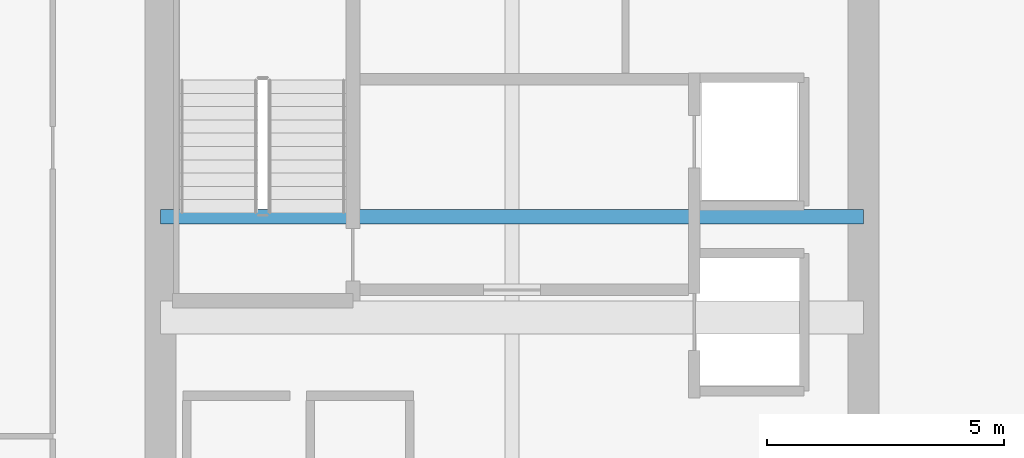
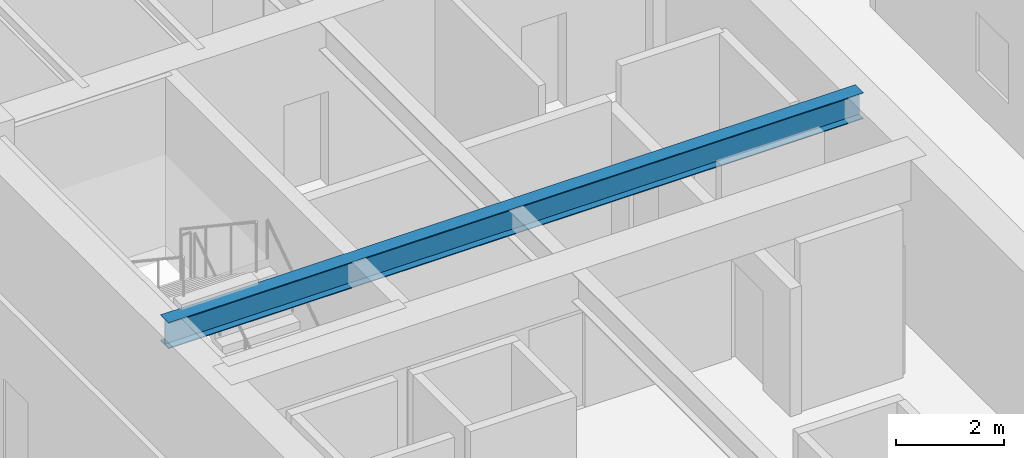
# One storey, part 9 of 30: 1 beam.
"""IFC4 building model written with IfcOpenShell, lengths in metres."""

from ifc_helpers import new_model, si_unit, direction, frame, origin, origin_2d, place, context, subcontext, project, spatial, i_section, extrude, source, transform, mapped, material, material_profile, profile_set, type_object, type_shapes, element, save


model = new_model("IFC4")

# Units and contexts
model_context = context("Model", 3, precision=1e-05, world=origin(), true_north=direction((0.0, 1.0)))
body_context = subcontext(model_context, "Body", "Model", "MODEL_VIEW")
ifc_project = project(units=[si_unit("LENGTHUNIT", "METRE"), si_unit("AREAUNIT", "SQUARE_METRE"), si_unit("VOLUMEUNIT", "CUBIC_METRE"), si_unit("PLANEANGLEUNIT", "RADIAN"), si_unit("MASSUNIT", "GRAM", prefix="KILO")], contexts=[model_context])

# Site, building, storey
site_placement = place(None, origin())
site = spatial("IfcSite", under=ifc_project, at=site_placement, CompositionType="ELEMENT")
building_placement = place(site_placement, origin())
building = spatial("IfcBuilding", under=site, at=building_placement, Name="Haelvirn Gate Laboratories", CompositionType="ELEMENT")
storey_placement = place(building_placement, frame((0.0, 0.0, 129.699951171875)))
storey = spatial("IfcBuildingStorey", under=building, at=storey_placement, Name="L31", CompositionType="ELEMENT", Elevation=129.699951171875)

# Beam
ifc_material = material(Name="Steel SM355", Category="steel")
ifc_material_profile = material_profile(ifc_material, i_section(OverallWidth=0.300048828125, OverallDepth=0.587890625, WebThickness=0.011962890625, FlangeThickness=0.02001953125, at=origin_2d()), Name="H-588x300x12x20")
ifc_profile_set = profile_set([ifc_material_profile], Name="Steel SM355")
beam_type = type_object("IfcBeamType", Name="BM-G-588", PredefinedType="BEAM", material=ifc_profile_set)
shared_shape = source(origin(), body_context, "Body", "SweptSolid", [
    extrude(i_section(OverallWidth=0.300048828125, OverallDepth=0.587890625, WebThickness=0.011962890625, FlangeThickness=0.02001953125, at=origin_2d()), origin(), (0.0, 0.0, 1.0), 14.800048828125),
])
type_shapes(beam_type, [shared_shape])
beam_placement = place(storey_placement, frame((7.39990234375, 26.6201171875, 3.49609375), z_axis=(1.0, 0.0, 0.0), x_axis=(0.0, 1.0, 0.0)))
element("IfcBeam", 1, at=beam_placement, inside=storey, type_object=beam_type, Name="L31 Stair ST1 Landing Header", PredefinedType="BEAM", context=body_context, shape_type="MappedRepresentation", body=[
    mapped(shared_shape, transform((0.0, 0.0, 0.0), scale=1.0)),
])

save(model, "model.ifc")
